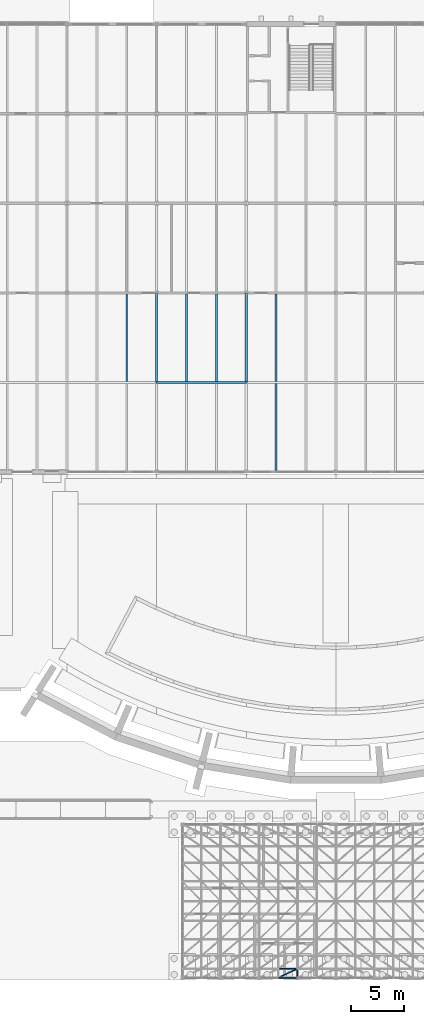
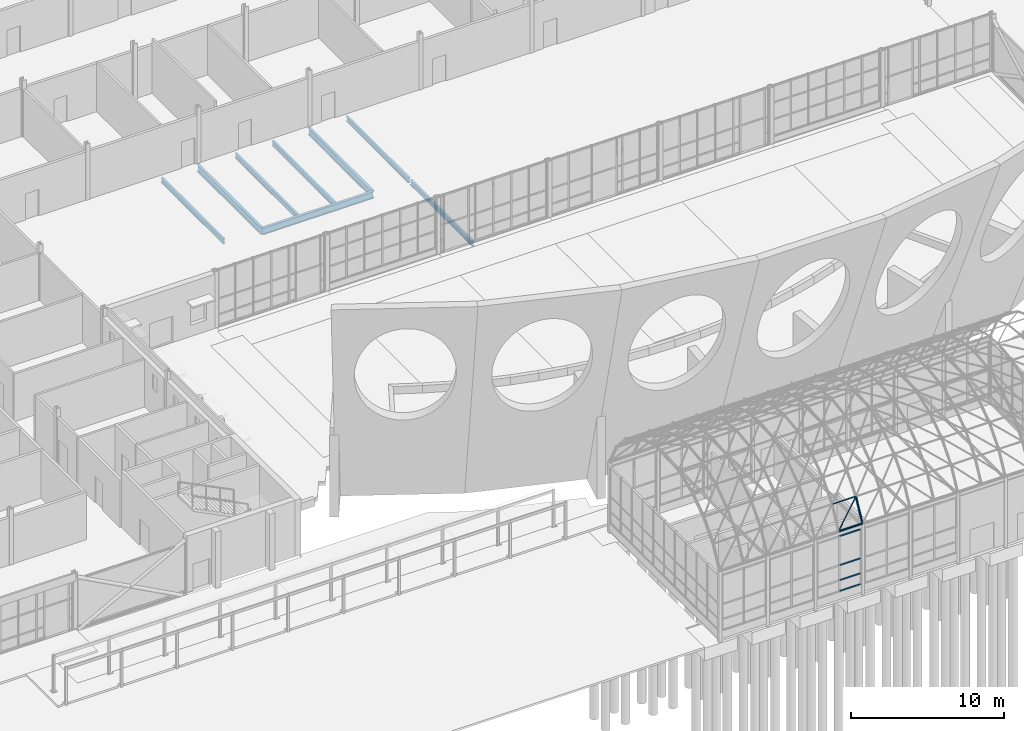
# One storey, part 31 of 116: 8 beams, 8 members, 1 element without a shape of its own.
"""IFC4 building model written with IfcOpenShell, lengths in metres."""

from ifc_helpers import new_model, si_unit, direction, frame, origin, origin_2d, place, context, subcontext, project, spatial, rectangle, hollow_circle, i_section, extrude, material, layer, layer_set, material_profile, profile_set, type_object, element, aggregate, save


model = new_model("IFC4")

# Units and contexts
model_context = context("Model", 3, precision=1e-05, world=origin(), true_north=direction((0.0, 1.0)))
body_context = subcontext(model_context, "Body", "Model", "MODEL_VIEW")
ifc_project = project(units=[si_unit("LENGTHUNIT", "METRE"), si_unit("AREAUNIT", "SQUARE_METRE"), si_unit("VOLUMEUNIT", "CUBIC_METRE"), si_unit("PLANEANGLEUNIT", "RADIAN"), si_unit("MASSUNIT", "GRAM", prefix="KILO")], contexts=[model_context])

# Site, building, storey
site_placement = place(None, origin())
site = spatial("IfcSite", under=ifc_project, at=site_placement, CompositionType="ELEMENT")
building_placement = place(site_placement, origin())
building = spatial("IfcBuilding", under=site, at=building_placement, Name="Ardhachandra Cancer Care Centre", CompositionType="ELEMENT")
storey_placement = place(building_placement, origin())
storey = spatial("IfcBuildingStorey", under=building, at=storey_placement, Name="L00", CompositionType="ELEMENT", Elevation=0.0)

# Beams
ifc_material_1 = material(Name="Steel E350 (IS 2062)", Category="steel")
ifc_material_profile_1 = material_profile(ifc_material_1, i_section(OverallWidth=0.179931640625, OverallDepth=0.39990234375, WebThickness=0.008544921875, FlangeThickness=0.013427734375, FilletRadius=0.02099609375, at=origin_2d()), Name="NPB 400x180x66.30")
ifc_profile_set_1 = profile_set([ifc_material_profile_1], Name="Steel E350 (IS 2062)")
beam_type_1 = type_object("IfcBeamType", Name="Beam NPB 400x180x66.30", PredefinedType="BEAM", material=ifc_profile_set_1)
for number, where, z_axis, x_axis, name in (
    (1, (58.39990234375, 63.10498046875, -0.35009765625), (0.0, 1.0, 0.0), (-1.0, 0.0, 0.0), "Secondary G6-H6@5600"),
    (2, (64.0, 63.10498046875, -0.35009765625), (0.0, 1.0, 0.0), (-1.0, 0.0, 0.0), "Secondary G7-H7@2800"),
    (3, (66.800048828125, 63.10498046875, -0.35009765625), (0.0, 1.0, 0.0), (-1.0, 0.0, 0.0), "Secondary G7-H7@5600"),
):
    element("IfcBeam", number, at=place(storey_placement, frame(where, z_axis=z_axis, x_axis=x_axis)), inside=storey, type_object=beam_type_1, Name=name, PredefinedType="BEAM", context=body_context, shape_type="SweptSolid", body=[
        extrude(i_section(OverallWidth=0.179931640625, OverallDepth=0.39990234375, WebThickness=0.008544921875, FlangeThickness=0.013427734375, FilletRadius=0.02099609375, at=origin_2d()), origin(), (0.0, 0.0, 1.0), 8.18994140625),
    ])
beam_1_placement = place(storey_placement, frame((72.39990234375, 54.699951171875, -0.35009765625), z_axis=(0.0, 1.0, 0.0), x_axis=(-1.0, 0.0, 0.0)))
element("IfcBeam", 4, at=beam_1_placement, inside=storey, type_object=beam_type_1, Name="Secondary F8-G8@2800", PredefinedType="BEAM", context=body_context, shape_type="SweptSolid", body=[
    extrude(i_section(OverallWidth=0.179931640625, OverallDepth=0.39990234375, WebThickness=0.008544921875, FlangeThickness=0.013427734375, FilletRadius=0.02099609375, at=origin_2d()), origin(), (0.0, 0.0, 1.0), 8.195068359375),
])
beam_2_placement = place(storey_placement, frame((72.39990234375, 63.10498046875, -0.35009765625), z_axis=(0.0, 1.0, 0.0), x_axis=(-1.0, 0.0, 0.0)))
element("IfcBeam", 5, at=beam_2_placement, inside=storey, type_object=beam_type_1, Name="Secondary G8-H8@2800", PredefinedType="BEAM", context=body_context, shape_type="SweptSolid", body=[
    extrude(i_section(OverallWidth=0.179931640625, OverallDepth=0.39990234375, WebThickness=0.008544921875, FlangeThickness=0.013427734375, FilletRadius=0.02099609375, at=origin_2d()), origin(), (0.0, 0.0, 1.0), 8.18994140625),
])
ifc_material_2 = material(Name="Steel E350 (IS 2062)", Category="steel")
ifc_material_profile_2 = material_profile(ifc_material_2, i_section(OverallWidth=0.2099609375, OverallDepth=0.550048828125, WebThickness=0.010986328125, FlangeThickness=0.01708984375, FilletRadius=0.02392578125, at=origin_2d()), Name="NPB 550x210x105.52")
ifc_profile_set_2 = profile_set([ifc_material_profile_2], Name="Steel E350 (IS 2062)")
beam_type_2 = type_object("IfcBeamType", Name="Beam NPB 550x210x105.52", PredefinedType="BEAM", material=ifc_profile_set_2)
beam_3_placement = place(storey_placement, frame((61.199951171875, 63.0, -0.425048828125), z_axis=(1.0, 0.0, 0.0), x_axis=(0.0, 1.0, 0.0)))
element("IfcBeam", 6, at=beam_3_placement, inside=storey, type_object=beam_type_2, Name="Girder G7-G8", PredefinedType="BEAM", context=body_context, shape_type="SweptSolid", body=[
    extrude(i_section(OverallWidth=0.2099609375, OverallDepth=0.550048828125, WebThickness=0.010986328125, FlangeThickness=0.01708984375, FilletRadius=0.02392578125, at=origin_2d()), origin(), (0.0, 0.0, 1.0), 8.400146484375),
])
for number, where, z_axis, x_axis, name in (
    (7, (61.199951171875, 63.0, -0.425048828125), (0.0, 1.0, 0.0), (-1.0, 0.0, 0.0), "Girder G7-H7"),
    (8, (69.60009765625, 63.0, -0.425048828125), (0.0, 1.0, 0.0), (-1.0, 0.0, 0.0), "Girder G8-H8"),
):
    element("IfcBeam", number, at=place(storey_placement, frame(where, z_axis=z_axis, x_axis=x_axis)), inside=storey, type_object=beam_type_2, Name=name, PredefinedType="BEAM", context=body_context, shape_type="SweptSolid", body=[
        extrude(i_section(OverallWidth=0.2099609375, OverallDepth=0.550048828125, WebThickness=0.010986328125, FlangeThickness=0.01708984375, FilletRadius=0.02392578125, at=origin_2d()), origin(), (0.0, 0.0, 1.0), 8.39990234375),
    ])

# Curtain wall, members
ifc_material_3 = material(Name="Aluminium extrusion", Category="aluminium")
ifc_layer = layer(ifc_material_3, 0.14990234375)
ifc_layer_set = layer_set([ifc_layer], Name="Aluminium extrusion")
curtain_wall_type = type_object("IfcCurtainWallType", Name="Curtain wall run", PredefinedType="NOTDEFINED", material=ifc_layer_set)
curtain_wall_placement = place(storey_placement, origin())
curtain_wall = element("IfcCurtainWall", 9, at=curtain_wall_placement, inside=storey, type_object=curtain_wall_type, Name="Curtain wall L00 s/0070800_0007200", PredefinedType="NOTDEFINED")
ifc_material_4 = material(Name="Aluminium extrusion", Category="aluminium")
ifc_material_profile_3 = material_profile(ifc_material_4, rectangle(XDim=0.1201171875, YDim=0.06005859375, at=origin_2d()), Name="Curtain wall transom 60 x 120")
ifc_profile_set_3 = profile_set([ifc_material_profile_3], Name="Aluminium extrusion")
member_type_1 = type_object("IfcMemberType", Name="Curtain wall transom 60 x 120", PredefinedType="USERDEFINED", material=ifc_profile_set_3)
member_1_placement = place(storey_placement, frame((72.6298828125, 7.199951171875, 0.6298828125), z_axis=(1.0, 0.0, 0.0), x_axis=(0.0, 1.0, 0.0)))
member_1 = element("IfcMember", 10, at=member_1_placement, type_object=member_type_1, Name="CW transom 2.1", ObjectType="TRANSOM", PredefinedType="USERDEFINED", context=body_context, shape_type="SweptSolid", body=[
    extrude(rectangle(XDim=0.1201171875, YDim=0.06005859375, at=origin_2d()), origin(), (0.0, 0.0, 1.0), 1.59521484375),
])
member_2_placement = place(storey_placement, frame((72.6298828125, 7.199951171875, 1.5), z_axis=(1.0, 0.0, 0.0), x_axis=(0.0, 1.0, 0.0)))
member_2 = element("IfcMember", 11, at=member_2_placement, type_object=member_type_1, Name="CW transom 2.2", ObjectType="TRANSOM", PredefinedType="USERDEFINED", context=body_context, shape_type="SweptSolid", body=[
    extrude(rectangle(XDim=0.1201171875, YDim=0.06005859375, at=origin_2d()), origin(), (0.0, 0.0, 1.0), 1.59521484375),
])
member_3_placement = place(storey_placement, frame((72.6298828125, 7.199951171875, 2.699951171875), z_axis=(1.0, 0.0, 0.0), x_axis=(0.0, 1.0, 0.0)))
member_3 = element("IfcMember", 12, at=member_3_placement, type_object=member_type_1, Name="CW transom 2.3", ObjectType="TRANSOM", PredefinedType="USERDEFINED", context=body_context, shape_type="SweptSolid", body=[
    extrude(rectangle(XDim=0.1201171875, YDim=0.06005859375, at=origin_2d()), origin(), (0.0, 0.0, 1.0), 1.59521484375),
])
member_4_placement = place(storey_placement, frame((72.6298828125, 7.199951171875, 5.02001953125), z_axis=(1.0, 0.0, 0.0), x_axis=(0.0, 1.0, 0.0)))
member_4 = element("IfcMember", 13, at=member_4_placement, type_object=member_type_1, Name="CW transom 2.4", ObjectType="TRANSOM", PredefinedType="USERDEFINED", context=body_context, shape_type="SweptSolid", body=[
    extrude(rectangle(XDim=0.1201171875, YDim=0.06005859375, at=origin_2d()), origin(), (0.0, 0.0, 1.0), 1.59521484375),
])
aggregate(curtain_wall, [member_1, member_2, member_3, member_4])

# Members
ifc_material_5 = material(Name="Steel E350 (IS 2062)", Category="steel")
ifc_material_profile_4 = material_profile(ifc_material_5, hollow_circle(Radius=0.0380859375, WallThickness=0.00390625, at=origin_2d()), Name="CHS 76.1x4.0")
ifc_profile_set_4 = profile_set([ifc_material_profile_4], Name="Steel E350 (IS 2062)")
member_type_2 = type_object("IfcMemberType", Name="Pavilion shell Diagonal CHS 76.1x4.0", PredefinedType="BRACE", material=ifc_profile_set_4)
member_5_placement = place(storey_placement, frame((72.60009765625, 7.199951171875, 5.39990234375), z_axis=(0.69516776168, 0.330798766681, 0.638211531613), x_axis=(-0.429686325077, 0.902978217922, 0.0)))
element("IfcMember", 14, at=member_5_placement, inside=storey, type_object=member_type_2, Name="Pavilion shell diagonal 05-00", PredefinedType="BRACE", context=body_context, shape_type="SweptSolid", body=[
    extrude(hollow_circle(Radius=0.0380859375, WallThickness=0.00390625, at=origin_2d()), origin(), (0.0, 0.0, 1.0), 2.589111328125),
])
ifc_material_6 = material(Name="Steel E350 (IS 2062)", Category="steel")
ifc_material_profile_5 = material_profile(ifc_material_6, hollow_circle(Radius=0.06982421875, WallThickness=0.0048828125, at=origin_2d()), Name="CHS 139.7x5.0")
ifc_profile_set_5 = profile_set([ifc_material_profile_5], Name="Steel E350 (IS 2062)")
member_type_3 = type_object("IfcMemberType", Name="Pavilion shell Purlin CHS 139.7x5.0", PredefinedType="PURLIN", material=ifc_profile_set_5)
member_6_placement = place(storey_placement, frame((72.60009765625, 7.199951171875, 5.39990234375), z_axis=(1.0, 0.0, 0.0), x_axis=(0.0, 1.0, 0.0)))
element("IfcMember", 15, at=member_6_placement, inside=storey, type_object=member_type_3, Name="Pavilion shell purlin 05-00", PredefinedType="PURLIN", context=body_context, shape_type="SweptSolid", body=[
    extrude(hollow_circle(Radius=0.06982421875, WallThickness=0.0048828125, at=origin_2d()), origin(), (0.0, 0.0, 1.0), 1.7998046875),
])
ifc_material_7 = material(Name="Steel E350 (IS 2062)", Category="steel")
ifc_material_profile_6 = material_profile(ifc_material_7, hollow_circle(Radius=0.04443359375, WallThickness=0.00390625, at=origin_2d()), Name="CHS 88.9x4.0")
ifc_profile_set_6 = profile_set([ifc_material_profile_6], Name="Steel E350 (IS 2062)")
member_type_4 = type_object("IfcMemberType", Name="Pavilion shell Purlin CHS 88.9x4.0", PredefinedType="PURLIN", material=ifc_profile_set_6)
member_7_placement = place(storey_placement, frame((72.60009765625, 8.056396484375, 7.05224609375), z_axis=(1.0, 0.0, 0.0), x_axis=(0.0, 1.0, 0.0)))
element("IfcMember", 16, at=member_7_placement, inside=storey, type_object=member_type_4, Name="Pavilion shell purlin 05-01", PredefinedType="PURLIN", context=body_context, shape_type="SweptSolid", body=[
    extrude(hollow_circle(Radius=0.04443359375, WallThickness=0.00390625, at=origin_2d()), origin(), (0.0, 0.0, 1.0), 1.7998046875),
])
ifc_material_8 = material(Name="Steel E350 (IS 2062)", Category="steel")
ifc_material_profile_7 = material_profile(ifc_material_8, hollow_circle(Radius=0.06982421875, WallThickness=0.0048828125, at=origin_2d()), Name="CHS 139.7x5.0")
ifc_profile_set_7 = profile_set([ifc_material_profile_7], Name="Steel E350 (IS 2062)")
member_type_5 = type_object("IfcMemberType", Name="Pavilion shell Rib CHS 139.7x5.0", PredefinedType="RAFTER", material=ifc_profile_set_7)
member_8_placement = place(storey_placement, frame((74.39990234375, 7.199951171875, 5.39990234375), z_axis=(0.0, 0.460179313582, 0.8878259961), x_axis=(-1.0, 0.0, 0.0)))
element("IfcMember", 17, at=member_8_placement, inside=storey, type_object=member_type_5, Name="Pavilion shell rib 06-00", PredefinedType="RAFTER", context=body_context, shape_type="SweptSolid", body=[
    extrude(hollow_circle(Radius=0.06982421875, WallThickness=0.0048828125, at=origin_2d()), origin(), (0.0, 0.0, 1.0), 1.861083984375),
])

save(model, "model.ifc")
